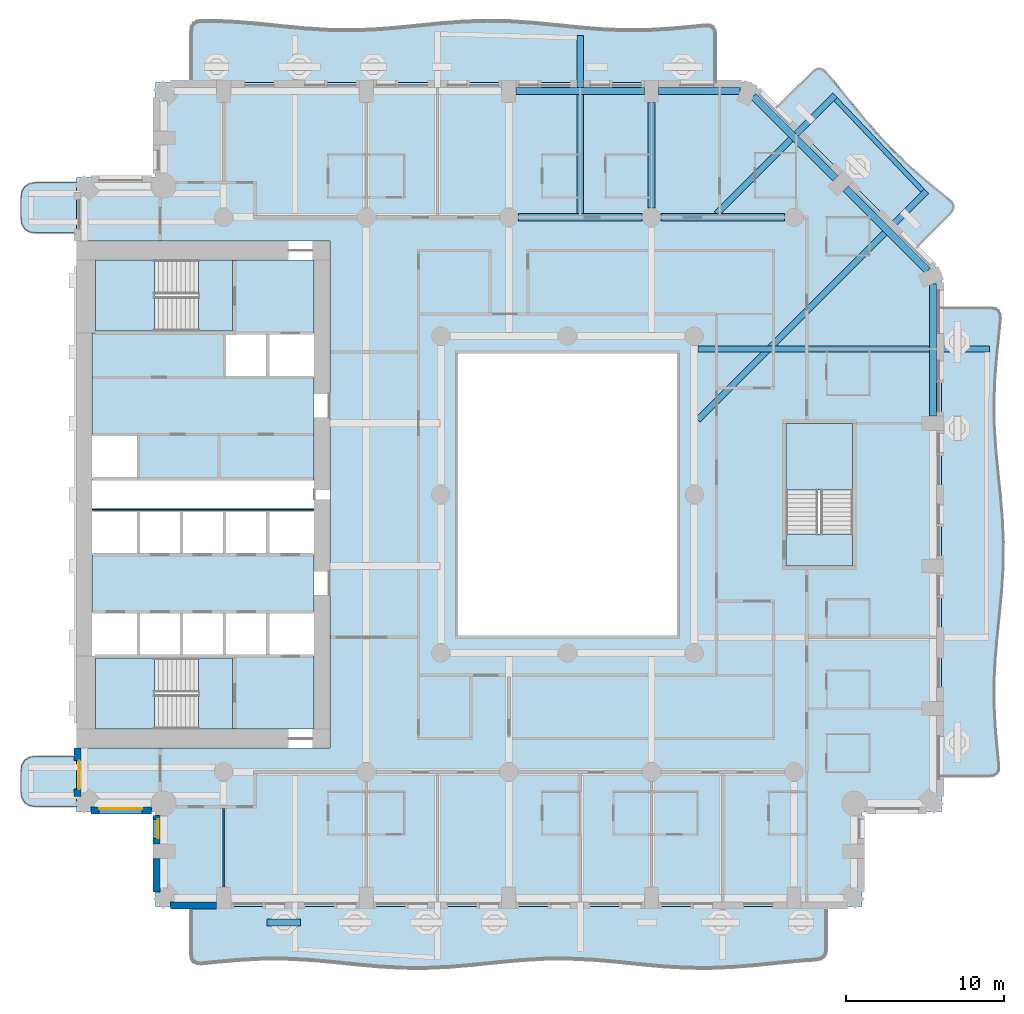
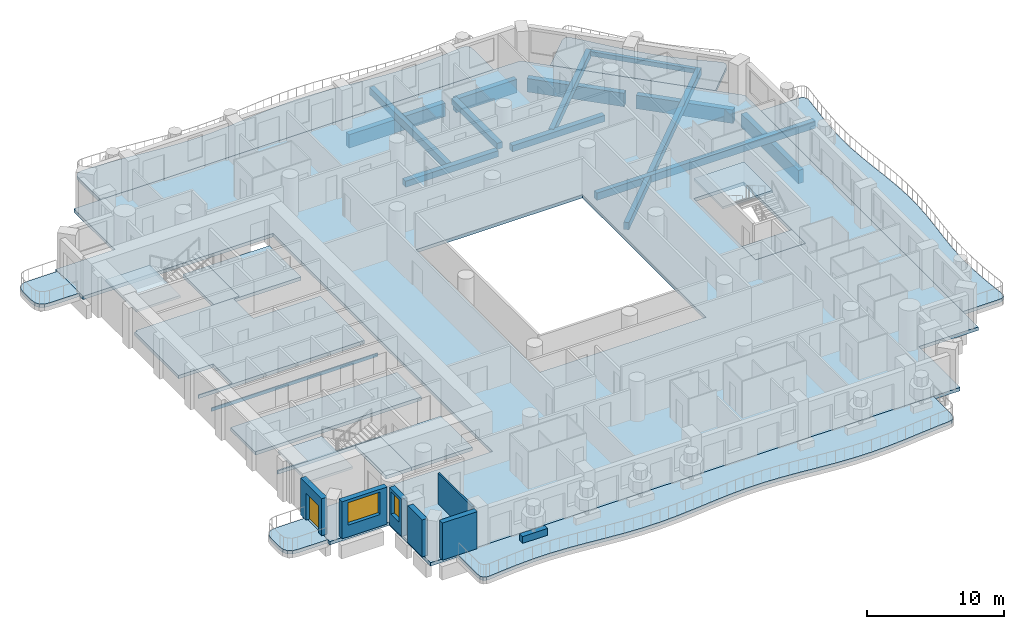
# One storey, part 2 of 20: 17 slabs, 13 beams, 7 walls, 2 windows, 1 door, 3 openings, 3 elements without a shape of their own.
"""IFC4 building model written with IfcOpenShell, lengths in metres."""

from ifc_helpers import new_model, si_unit, direction, frame, frame_2d, origin, origin_2d, place, context, subcontext, project, spatial, polyline, rectangle, outline, extrude, material, layer, layer_set, material_profile, profile_set, type_object, element, fill, aggregate, save


model = new_model("IFC4")

# Units and contexts
model_context = context("Model", 3, precision=1e-05, world=origin(), true_north=direction((0.0, 1.0)))
body_context = subcontext(model_context, "Body", "Model", "MODEL_VIEW")
ifc_project = project(units=[si_unit("LENGTHUNIT", "METRE"), si_unit("AREAUNIT", "SQUARE_METRE"), si_unit("VOLUMEUNIT", "CUBIC_METRE"), si_unit("PLANEANGLEUNIT", "RADIAN"), si_unit("MASSUNIT", "GRAM", prefix="KILO")], contexts=[model_context])

# Site, building, storey
site_placement = place(None, origin())
site = spatial("IfcSite", under=ifc_project, at=site_placement, CompositionType="ELEMENT")
building_placement = place(site_placement, origin())
building = spatial("IfcBuilding", under=site, at=building_placement, Name="Cypress Arch Tower", CompositionType="ELEMENT")
storey_placement = place(building_placement, frame((0.0, 0.0, 59.10009765625)))
storey = spatial("IfcBuildingStorey", under=building, at=storey_placement, Name="L08", CompositionType="ELEMENT", Elevation=59.10009765625)

# Beams
ifc_material_1 = material(Name="Concrete C50/60", Category="concrete")
ifc_material_profile_1 = material_profile(ifc_material_1, rectangle(XDim=0.300048828125, YDim=0.39990234375, at=origin_2d()), Name="RC 300x400")
ifc_profile_set_1 = profile_set([ifc_material_profile_1], Name="Concrete C50/60")
beam_type_1 = type_object("IfcBeamType", Name="Balcony edge beam RC 300x400 Concrete C50/60", PredefinedType="BEAM", material=ifc_profile_set_1)
beam_1_placement = place(storey_placement, frame((23.41015625, 19.1806640625, -0.5), z_axis=(-0.689573257402, 0.724215936497, 0.0), x_axis=(-0.724215936497, -0.689573257402, 0.0)))
element("IfcBeam", 1, at=beam_1_placement, inside=storey, type_object=beam_type_1, Name="Balcony edge beam L08 A07", PredefinedType="BEAM", context=body_context, shape_type="SweptSolid", body=[
    extrude(rectangle(XDim=0.300048828125, YDim=0.39990234375, at=origin_2d()), origin(), (0.0, 0.0, 1.0), 7.963623046875),
])
ifc_material_2 = material(Name="Concrete C50/60", Category="concrete")
ifc_material_profile_2 = material_profile(ifc_material_2, rectangle(XDim=0.39990234375, YDim=0.64990234375, at=origin_2d()), Name="RC 400x650")
ifc_profile_set_2 = profile_set([ifc_material_profile_2], Name="Concrete C50/60")
beam_type_2 = type_object("IfcBeamType", Name="Cantilever beam RC 400x650 Concrete C50/60", PredefinedType="BEAM", material=ifc_profile_set_2)
beam_2_placement = place(storey_placement, frame((9.22509765625, 9.18798828125, -0.625), z_axis=(1.0, 0.0, 0.0), x_axis=(0.0, 1.0, 0.0)))
element("IfcBeam", 2, at=beam_2_placement, inside=storey, type_object=beam_type_2, Name="Cantilever beam L08 A06 2", PredefinedType="BEAM", context=body_context, shape_type="SweptSolid", body=[
    extrude(rectangle(XDim=0.39990234375, YDim=0.64990234375, at=origin_2d()), origin(), (0.0, 0.0, 1.0), 18.392578125),
])
beam_3_placement = place(storey_placement, frame((9.22509765625, 4.712890625, -0.625), z_axis=(0.707100800439, 0.707112761884, 0.0), x_axis=(-0.707112761884, 0.707100800439, 0.0)))
element("IfcBeam", 3, at=beam_3_placement, inside=storey, type_object=beam_type_2, Name="Cantilever beam L08 A07 1", PredefinedType="BEAM", context=body_context, shape_type="SweptSolid", body=[
    extrude(rectangle(XDim=0.39990234375, YDim=0.64990234375, at=origin_2d()), origin(), (0.0, 0.0, 1.0), 20.41064453125),
])
beam_4_placement = place(storey_placement, frame((10.412841796875, 17.72509765625, -0.625), z_axis=(0.707118335313, 0.707095226871, 0.0), x_axis=(-0.707095226871, 0.707118335313, 0.0)))
element("IfcBeam", 4, at=beam_4_placement, inside=storey, type_object=beam_type_2, Name="Cantilever beam L08 A07 2", PredefinedType="BEAM", context=body_context, shape_type="SweptSolid", body=[
    extrude(rectangle(XDim=0.39990234375, YDim=0.64990234375, at=origin_2d()), origin(), (0.0, 0.0, 1.0), 10.56494140625),
])
beam_5_placement = place(storey_placement, frame((1.800048828125, 17.72509765625, -0.625), z_axis=(0.0, 1.0, 0.0), x_axis=(-1.0, 0.0, 0.0)))
element("IfcBeam", 5, at=beam_5_placement, inside=storey, type_object=beam_type_2, Name="Cantilever beam L08 A08 1", PredefinedType="BEAM", context=body_context, shape_type="SweptSolid", body=[
    extrude(rectangle(XDim=0.39990234375, YDim=0.64990234375, at=origin_2d()), origin(), (0.0, 0.0, 1.0), 11.25390625),
])
ifc_material_3 = material(Name="Concrete C50/60", Category="concrete")
ifc_material_profile_3 = material_profile(ifc_material_3, rectangle(XDim=0.449951171875, YDim=0.550048828125, at=origin_2d()), Name="RC 450x550")
ifc_profile_set_3 = profile_set([ifc_material_profile_3], Name="Concrete C50/60")
beam_type_3 = type_object("IfcBeamType", Name="Floor beam RC 450x550 Concrete C50/60", PredefinedType="BEAM", material=ifc_profile_set_3)
for number, where, z_axis, x_axis, name in (
    (6, (-2.10009765625, 17.5, -0.5751953125), (1.0, 0.0, 0.0), (0.0, 1.0, 0.0), "Floor beam L08 FB017"),
    (7, (6.89990234375, 17.5, -0.5751953125), (1.0, 0.0, 0.0), (0.0, 1.0, 0.0), "Floor beam L08 FB018"),
):
    element("IfcBeam", number, at=place(storey_placement, frame(where, z_axis=z_axis, x_axis=x_axis)), inside=storey, type_object=beam_type_3, Name=name, PredefinedType="BEAM", context=body_context, shape_type="SweptSolid", body=[
        extrude(rectangle(XDim=0.449951171875, YDim=0.550048828125, at=origin_2d()), origin(), (0.0, 0.0, 1.0), 7.800048828125),
    ])
beam_6_placement = place(storey_placement, frame((6.300048828125, 18.10009765625, -0.5751953125), z_axis=(0.0, 1.0, 0.0), x_axis=(-1.0, 0.0, 0.0)))
element("IfcBeam", 8, at=beam_6_placement, inside=storey, type_object=beam_type_3, Name="Floor beam L08 FB033", PredefinedType="BEAM", context=body_context, shape_type="SweptSolid", body=[
    extrude(rectangle(XDim=0.449951171875, YDim=0.550048828125, at=origin_2d()), origin(), (0.0, 0.0, 1.0), 6.64990234375),
])
ifc_material_4 = material(Name="Concrete C50/60", Category="concrete")
ifc_material_profile_4 = material_profile(ifc_material_4, rectangle(XDim=0.449951171875, YDim=1.199951171875, at=origin_2d()), Name="RC 450x1200")
ifc_profile_set_4 = profile_set([ifc_material_profile_4], Name="Concrete C50/60")
beam_type_4 = type_object("IfcBeamType", Name="Spandrel beam RC 450x1200 Concrete C50/60", PredefinedType="SPANDREL", material=ifc_profile_set_4)
beam_7_placement = place(storey_placement, frame((24.074951171875, 4.949951171875, -1.550048828125), z_axis=(0.0, 1.0, 0.0), x_axis=(-1.0, 0.0, 0.0)))
element("IfcBeam", 9, at=beam_7_placement, inside=storey, type_object=beam_type_4, Name="Spandrel beam L08 BA06-3", PredefinedType="SPANDREL", context=body_context, shape_type="SweptSolid", body=[
    extrude(rectangle(XDim=0.449951171875, YDim=1.199951171875, at=origin_2d()), origin(), (0.0, 0.0, 1.0), 8.345458984375),
])
for number, where, z_axis, x_axis, name in (
    (10, (23.73046875, 14.126953125, -1.550048828125), (-0.707106781187, 0.707106781187, 0.0), (-0.707106781187, -0.707106781187, 0.0), "Spandrel beam L08 BA07-0"),
    (11, (17.91064453125, 19.947021484375, -1.550048828125), (-0.707106781187, 0.707106781187, 0.0), (-0.707106781187, -0.707106781187, 0.0), "Spandrel beam L08 BA07-1"),
):
    element("IfcBeam", number, at=place(storey_placement, frame(where, z_axis=z_axis, x_axis=x_axis)), inside=storey, type_object=beam_type_4, Name=name, PredefinedType="SPANDREL", context=body_context, shape_type="SweptSolid", body=[
        extrude(rectangle(XDim=0.449951171875, YDim=1.199951171875, at=origin_2d()), origin(), (0.0, 0.0, 1.0), 7.330810546875),
    ])
beam_8_placement = place(storey_placement, frame((11.8955078125, 25.47509765625, -1.550048828125), z_axis=(-1.0, 0.0, 0.0), x_axis=(0.0, -1.0, 0.0)))
element("IfcBeam", 12, at=beam_8_placement, inside=storey, type_object=beam_type_4, Name="Spandrel beam L08 BA08-0", PredefinedType="SPANDREL", context=body_context, shape_type="SweptSolid", body=[
    extrude(rectangle(XDim=0.449951171875, YDim=1.199951171875, at=origin_2d()), origin(), (0.0, 0.0, 1.0), 5.1455078125),
])
beam_9_placement = place(storey_placement, frame((5.85009765625, 25.47509765625, -1.550048828125), z_axis=(-1.0, 0.0, 0.0), x_axis=(0.0, -1.0, 0.0)))
element("IfcBeam", 13, at=beam_9_placement, inside=storey, type_object=beam_type_4, Name="Spandrel beam L08 BA08-1", PredefinedType="SPANDREL", context=body_context, shape_type="SweptSolid", body=[
    extrude(rectangle(XDim=0.449951171875, YDim=1.199951171875, at=origin_2d()), origin(), (0.0, 0.0, 1.0), 8.10009765625),
])

# Slabs
ifc_material_5 = material(Name="Concrete C40/50", Category="concrete")
ifc_layer_1 = layer(ifc_material_5, 0.300048828125)
ifc_layer_set_1 = layer_set([ifc_layer_1], Name="Balcony slab BS300")
slab_type_1 = type_object("IfcSlabType", Name="Balcony slab BS300", PredefinedType="USERDEFINED", material=ifc_layer_set_1)
slab_1_placement = place(storey_placement, frame((0.0, 0.0, -0.300048828125)))
element("IfcSlab", 14, at=slab_1_placement, inside=storey, type_object=slab_type_1, Name="Balcony slab L08-A00W0", ObjectType="BALCONY SLAB", PredefinedType="USERDEFINED", context=body_context, shape_type="SweptSolid", body=[
    extrude(outline(polyline([(-30.0, 19.699951171875), (-32.5, 19.699951171875), (-32.9375, 19.637451171875), (-33.25, 19.449951171875), (-33.4375, 19.137451171875), (-33.5, 18.699951171875), (-33.5, 17.5), (-33.4375, 17.0625), (-33.25, 16.75), (-32.9375, 16.5625), (-32.5, 16.5), (-30.0, 16.5), (-30.0, 19.699951171875)])), origin(), (0.0, 0.0, 1.0), 0.300048828125),
])
slab_2_placement = place(storey_placement, frame((0.0, 0.0, -0.300048828125)))
element("IfcSlab", 15, at=slab_2_placement, inside=storey, type_object=slab_type_1, Name="Balcony slab L08-A00W1", ObjectType="BALCONY SLAB", PredefinedType="USERDEFINED", context=body_context, shape_type="SweptSolid", body=[
    extrude(outline(polyline([(-30.0, -16.5), (-32.5, -16.5), (-32.9375, -16.5625), (-33.25, -16.75), (-33.4375, -17.0625), (-33.5, -17.5), (-33.5, -18.699951171875), (-33.4375, -19.137451171875), (-33.25, -19.449951171875), (-32.9375, -19.637451171875), (-32.5, -19.699951171875), (-30.0, -19.699951171875), (-30.0, -16.5)])), origin(), (0.0, 0.0, 1.0), 0.300048828125),
])
slab_3_placement = place(storey_placement, frame((0.0, 0.0, -0.300048828125)))
element("IfcSlab", 16, at=slab_3_placement, inside=storey, type_object=slab_type_1, Name="Balcony slab L08-A03", ObjectType="BALCONY SLAB", PredefinedType="USERDEFINED", context=body_context, shape_type="SweptSolid", body=[
    extrude(outline(polyline([(-22.75, -26.0), (-22.75, -29.005859375), (-22.708251953125, -29.29541015625), (-22.5830078125, -29.492431640625), (-22.3740234375, -29.5966796875), (-22.081787109375, -29.6083984375), (-21.264892578125, -29.52392578125), (-19.779541015625, -29.39013671875), (-18.29443359375, -29.3115234375), (-16.809326171875, -29.30859375), (-15.323974609375, -29.382568359375), (-13.8388671875, -29.513427734375), (-12.353759765625, -29.6669921875), (-10.868408203125, -29.80322265625), (-9.38330078125, -29.8857421875), (-7.898193359375, -29.893310546875), (-6.412841796875, -29.82373046875), (-4.927734375, -29.695556640625), (-3.442626953125, -29.5419921875), (-1.95751953125, -29.40380859375), (-0.47216796875, -29.317138671875), (1.012939453125, -29.3046875), (2.498046875, -29.3701171875), (3.9833984375, -29.495849609375), (5.468505859375, -29.64892578125), (6.95361328125, -29.7890625), (8.43896484375, -29.879638671875), (9.924072265625, -29.896728515625), (11.4091796875, -29.835693359375), (12.89453125, -29.712890625), (14.379638671875, -29.560302734375), (15.86474609375, -29.418212890625), (16.681640625, -29.3662109375), (16.97412109375, -29.305908203125), (17.182861328125, -29.1669921875), (17.308349609375, -28.94970703125), (17.35009765625, -28.654052734375), (17.35009765625, -26.0), (-22.75, -26.0)])), origin(), (0.0, 0.0, 1.0), 0.300048828125),
])
slab_4_placement = place(storey_placement, frame((0.0, 0.0, -0.300048828125)))
element("IfcSlab", 17, at=slab_4_placement, inside=storey, type_object=slab_type_1, Name="Balcony slab L08-A06", ObjectType="BALCONY SLAB", PredefinedType="USERDEFINED", context=body_context, shape_type="SweptSolid", body=[
    extrude(outline(polyline([(24.60009765625, -17.75), (27.6103515625, -17.75), (27.89794921875, -17.70849609375), (28.09375, -17.583984375), (28.197265625, -17.376708984375), (28.208984375, -17.086181640625), (28.125, -16.27490234375), (27.99169921875, -14.800048828125), (27.912353515625, -13.324951171875), (27.90771484375, -11.85009765625), (27.978759765625, -10.375), (28.107177734375, -8.89990234375), (28.259765625, -7.425048828125), (28.396728515625, -5.949951171875), (28.48291015625, -4.47509765625), (28.495361328125, -3.0), (28.431396484375, -1.52490234375), (28.3076171875, -0.050048828125), (28.15576171875, 1.425048828125), (28.015380859375, 2.89990234375), (27.9228515625, 4.375), (27.90234375, 5.85009765625), (27.958740234375, 7.324951171875), (28.077880859375, 8.800048828125), (28.228759765625, 10.27490234375), (28.3076171875, 11.086181640625), (28.294189453125, 11.376708984375), (28.189208984375, 11.583984375), (27.992919921875, 11.70849609375), (27.705078125, 11.75), (24.60009765625, 11.75), (24.60009765625, -17.75)])), origin(), (0.0, 0.0, 1.0), 0.300048828125),
])
slab_5_placement = place(storey_placement, frame((0.0, 0.0, -0.300048828125)))
element("IfcSlab", 18, at=slab_5_placement, inside=storey, type_object=slab_type_1, Name="Balcony slab L08-A07", ObjectType="BALCONY SLAB", PredefinedType="USERDEFINED", context=body_context, shape_type="SweptSolid", body=[
    extrude(outline(polyline([(23.009033203125, 15.591064453125), (25.166259765625, 17.748291015625), (25.329833984375, 17.966796875), (25.376953125, 18.179443359375), (25.30810546875, 18.385986328125), (25.122802734375, 18.586669921875), (24.528076171875, 19.069580078125), (23.45751953125, 19.95849609375), (22.41845703125, 20.879150390625), (21.424560546875, 21.8447265625), (20.47900390625, 22.858642578125), (19.573974609375, 23.913330078125), (18.6923828125, 24.9912109375), (17.811767578125, 26.070068359375), (17.315185546875, 26.6513671875), (17.10986328125, 26.83203125), (16.900146484375, 26.897705078125), (16.685791015625, 26.8486328125), (16.466796875, 26.684814453125), (14.19091796875, 24.408935546875), (23.009033203125, 15.591064453125)])), origin(), (0.0, 0.0, 1.0), 0.300048828125),
])
slab_6_placement = place(storey_placement, frame((0.0, 0.0, -0.300048828125)))
element("IfcSlab", 19, at=slab_6_placement, inside=storey, type_object=slab_type_1, Name="Balcony slab L08-A08", ObjectType="BALCONY SLAB", PredefinedType="USERDEFINED", context=body_context, shape_type="SweptSolid", body=[
    extrude(outline(polyline([(10.35009765625, 26.0), (10.35009765625, 29.026611328125), (10.3095703125, 29.30712890625), (10.18798828125, 29.498046875), (9.98583984375, 29.59912109375), (9.702392578125, 29.610595703125), (8.910888671875, 29.528564453125), (7.4716796875, 29.39697265625), (6.03271484375, 29.315673828125), (4.593505859375, 29.3046875), (3.154296875, 29.366455078125), (1.71533203125, 29.486083984375), (0.276123046875, 29.6337890625), (-1.1630859375, 29.773193359375), (-2.602294921875, 29.86962890625), (-4.041259765625, 29.899658203125), (-5.48046875, 29.85546875), (-6.919677734375, 29.748291015625), (-8.358642578125, 29.604248046875), (-9.7978515625, 29.45947265625), (-11.237060546875, 29.34912109375), (-12.676025390625, 29.301025390625), (-14.115234375, 29.32666015625), (-15.554443359375, 29.419921875), (-16.993408203125, 29.5576171875), (-18.4326171875, 29.705810546875), (-19.871826171875, 29.827880859375), (-21.310791015625, 29.893798828125), (-22.102294921875, 29.889892578125), (-22.3857421875, 29.84814453125), (-22.588134765625, 29.725830078125), (-22.70947265625, 29.522705078125), (-22.75, 29.2392578125), (-22.75, 26.0), (10.35009765625, 26.0)])), origin(), (0.0, 0.0, 1.0), 0.300048828125),
])
ifc_material_6 = material(Name="Concrete C40/50", Category="concrete")
ifc_layer_2 = layer(ifc_material_6, 0.300048828125)
ifc_layer_set_2 = layer_set([ifc_layer_2], Name="Core floor CF300")
slab_type_2 = type_object("IfcSlabType", Name="Core floor CF300", PredefinedType="FLOOR", material=ifc_layer_set_2)
slab_7_placement = place(storey_placement, frame((0.0, 0.0, -0.300048828125)))
element("IfcSlab", 20, at=slab_7_placement, inside=storey, type_object=slab_type_2, Name="Core floor", PredefinedType="FLOOR", context=body_context, shape_type="SweptSolid", body=[
    extrude(outline(polyline([(-20.125, -14.800048828125), (-15.0, -14.800048828125), (-15.0, -10.199951171875), (-17.919921875, -10.199951171875), (-20.639892578125, -10.199951171875), (-23.360107421875, -10.199951171875), (-26.080078125, -10.199951171875), (-28.800048828125, -10.199951171875), (-28.800048828125, -10.324951171875), (-22.27490234375, -10.324951171875), (-20.125, -10.324951171875), (-20.125, -14.800048828125)])), origin(), (0.0, 0.0, 1.0), 0.300048828125),
])
slab_8_placement = place(storey_placement, frame((0.0, 0.0, -0.300048828125)))
element("IfcSlab", 21, at=slab_8_placement, inside=storey, type_object=slab_type_2, Name="Core floor", PredefinedType="FLOOR", context=body_context, shape_type="SweptSolid", body=[
    extrude(outline(polyline([(-29.0, -3.800048828125), (-29.0, -7.39990234375), (-26.080078125, -7.39990234375), (-23.360107421875, -7.39990234375), (-20.639892578125, -7.39990234375), (-17.919921875, -7.39990234375), (-15.0, -7.39990234375), (-15.0, -3.800048828125), (-17.919921875, -3.800048828125), (-20.639892578125, -3.800048828125), (-23.360107421875, -3.800048828125), (-26.080078125, -3.800048828125), (-29.0, -3.800048828125)])), origin(), (0.0, 0.0, 1.0), 0.300048828125),
])
slab_9_placement = place(storey_placement, frame((0.0, 0.0, -0.300048828125)))
element("IfcSlab", 22, at=slab_9_placement, inside=storey, type_object=slab_type_2, Name="Core floor", PredefinedType="FLOOR", context=body_context, shape_type="SweptSolid", body=[
    extrude(outline(polyline([(-29.0, 3.800048828125), (-29.0, 10.199951171875), (-28.800048828125, 10.199951171875), (-28.800048828125, 10.324951171875), (-28.60009765625, 10.324951171875), (-22.27490234375, 10.324951171875), (-20.125, 10.324951171875), (-20.125, 14.800048828125), (-15.39990234375, 14.800048828125), (-15.0, 14.800048828125), (-15.0, 10.199951171875), (-15.39990234375, 10.199951171875), (-17.919921875, 10.199951171875), (-20.639892578125, 10.199951171875), (-20.639892578125, 7.39990234375), (-17.919921875, 7.39990234375), (-15.39990234375, 7.39990234375), (-15.0, 7.39990234375), (-15.0, 0.89990234375), (-28.60009765625, 0.89990234375), (-29.0, 0.89990234375), (-29.0, 1.0), (-28.60009765625, 1.0), (-26.080078125, 1.0), (-26.080078125, 3.800048828125), (-28.60009765625, 3.800048828125), (-29.0, 3.800048828125)])), origin(), (0.0, 0.0, 1.0), 0.300048828125),
])
slab_10_placement = place(storey_placement, frame((0.0, 0.0, -0.300048828125)))
element("IfcSlab", 23, at=slab_10_placement, inside=storey, type_object=slab_type_2, Name="Core floor", PredefinedType="FLOOR", context=body_context, shape_type="SweptSolid", body=[
    extrude(outline(polyline([(-22.27490234375, -10.324951171875), (-22.27490234375, -14.800048828125), (-20.125, -14.800048828125), (-20.125, -10.324951171875), (-22.27490234375, -10.324951171875)])), origin(), (0.0, 0.0, 1.0), 0.300048828125),
])
slab_11_placement = place(storey_placement, frame((0.0, 0.0, -0.300048828125)))
element("IfcSlab", 24, at=slab_11_placement, inside=storey, type_object=slab_type_2, Name="Core floor", PredefinedType="FLOOR", context=body_context, shape_type="SweptSolid", body=[
    extrude(outline(polyline([(-20.125, 14.800048828125), (-22.27490234375, 14.800048828125), (-22.27490234375, 10.324951171875), (-20.125, 10.324951171875), (-20.125, 14.800048828125)])), origin(), (0.0, 0.0, 1.0), 0.300048828125),
])
slab_12_placement = place(storey_placement, frame((0.0, 0.0, -0.300048828125)))
element("IfcSlab", 25, at=slab_12_placement, inside=storey, type_object=slab_type_2, Name="Stair floor landing", PredefinedType="FLOOR", context=body_context, shape_type="SweptSolid", body=[
    extrude(outline(polyline([(19.0, -4.5), (19.0, -2.5), (14.800048828125, -2.5), (14.800048828125, -4.5), (19.0, -4.5)])), origin(), (0.0, 0.0, 1.0), 0.300048828125),
])
slab_13_placement = place(storey_placement, frame((0.0, 0.0, -0.300048828125)))
element("IfcSlab", 26, at=slab_13_placement, inside=storey, type_object=slab_type_2, Name="Core floor", PredefinedType="FLOOR", context=body_context, shape_type="SweptSolid", body=[
    extrude(outline(polyline([(-20.639892578125, -1.0), (-23.360107421875, -1.0), (-26.080078125, -1.0), (-28.60009765625, -1.0), (-29.0, -1.0), (-29.0, -0.89990234375), (-28.60009765625, -0.89990234375), (-15.39990234375, -0.89990234375), (-15.0, -0.89990234375), (-15.0, -1.0), (-15.39990234375, -1.0), (-17.919921875, -1.0), (-20.639892578125, -1.0)])), origin(), (0.0, 0.0, 1.0), 0.300048828125),
])
ifc_material_7 = material(Name="Concrete C40/50", Category="concrete")
ifc_layer_3 = layer(ifc_material_7, 0.300048828125)
ifc_layer_set_3 = layer_set([ifc_layer_3], Name="PT flat slab 300 Concrete C40/50")
slab_type_3 = type_object("IfcSlabType", Name="PT flat slab 300 Concrete C40/50", PredefinedType="FLOOR", material=ifc_layer_set_3)
slab_14_placement = place(storey_placement, frame((0.0, 0.0, -0.300048828125)))
element("IfcSlab", 27, at=slab_14_placement, inside=storey, type_object=slab_type_3, Name="Floor slab L08", PredefinedType="FLOOR", context=body_context, shape_type="SweptSolid", body=[
    extrude(outline(polyline([(-30.0, 20.0), (-25.0, 20.0), (-25.0, 26.0), (12.60009765625, 26.0), (24.60009765625, 14.0), (24.60009765625, -20.0), (19.60009765625, -20.0), (19.60009765625, -26.0), (-25.0, -26.0), (-25.0, -20.0), (-30.0, -20.0), (-30.0, -16.0), (-14.0, -16.0), (-14.0, 16.0), (-30.0, 16.0), (-30.0, 20.0)]), holes=[polyline([(-6.0, -9.0), (8.0, -9.0), (8.0, 9.0), (-6.0, 9.0), (-6.0, -9.0)]), polyline([(14.800048828125, -4.5), (19.0, -4.5), (19.0, 4.5), (14.800048828125, 4.5), (14.800048828125, -4.5)])]), origin(), (0.0, 0.0, 1.0), 0.300048828125),
])

# Stair, slab
ifc_material_8 = material(Name="Concrete C40/50", Category="concrete")
stair_type_1 = type_object("IfcStairType", Name="Exit stair ES1636-215", PredefinedType="HALF_TURN_STAIR", material=ifc_material_8)
stair_1_placement = place(storey_placement, origin())
stair_1 = element("IfcStair", 28, at=stair_1_placement, inside=storey, type_object=stair_type_1, Name="L08 Exit stair A", PredefinedType="HALF_TURN_STAIR")
ifc_material_9 = material(Name="Concrete C40/50", Category="concrete")
ifc_layer_4 = layer(ifc_material_9, 0.199951171875)
ifc_layer_set_4 = layer_set([ifc_layer_4], Name="Stair landing SL200")
slab_type_4 = type_object("IfcSlabType", Name="Stair landing SL200", PredefinedType="LANDING", material=ifc_layer_set_4)
slab_15_placement = place(storey_placement, frame((0.0, 0.0, 1.599853515625)))
slab_15 = element("IfcSlab", 29, at=slab_15_placement, type_object=slab_type_4, Name="A landing 1", PredefinedType="LANDING", context=body_context, shape_type="SweptSolid", body=[
    extrude(outline(polyline([(-25.074951171875, -10.324951171875), (-28.800048828125, -10.324951171875), (-28.800048828125, -14.800048828125), (-25.074951171875, -14.800048828125), (-25.074951171875, -10.324951171875)])), origin(), (0.0, 0.0, 1.0), 0.199951171875),
])
aggregate(stair_1, [slab_15])

stair_2_placement = place(storey_placement, origin())
stair_2 = element("IfcStair", 30, at=stair_2_placement, inside=storey, type_object=stair_type_1, Name="L08 Exit stair B", PredefinedType="HALF_TURN_STAIR")
slab_16_placement = place(storey_placement, frame((0.0, 0.0, 1.599853515625)))
slab_16 = element("IfcSlab", 31, at=slab_16_placement, type_object=slab_type_4, Name="B landing 1", PredefinedType="LANDING", context=body_context, shape_type="SweptSolid", body=[
    extrude(outline(polyline([(-25.074951171875, 14.800048828125), (-28.800048828125, 14.800048828125), (-28.800048828125, 10.324951171875), (-25.074951171875, 10.324951171875), (-25.074951171875, 14.800048828125)])), origin(), (0.0, 0.0, 1.0), 0.199951171875),
])
aggregate(stair_2, [slab_16])

ifc_material_10 = material(Name="Concrete C40/50", Category="concrete")
stair_type_2 = type_object("IfcStairType", Name="Exit stair ES1636-200", PredefinedType="HALF_TURN_STAIR", material=ifc_material_10)
stair_3_placement = place(storey_placement, origin())
stair_3 = element("IfcStair", 32, at=stair_3_placement, inside=storey, type_object=stair_type_2, Name="L08 Exit stair C", PredefinedType="HALF_TURN_STAIR")
slab_17_placement = place(storey_placement, frame((0.0, 0.0, 1.599853515625)))
slab_17 = element("IfcSlab", 33, at=slab_17_placement, type_object=slab_type_4, Name="C landing 1", PredefinedType="LANDING", context=body_context, shape_type="SweptSolid", body=[
    extrude(outline(polyline([(19.0, 0.300048828125), (19.0, 4.5), (14.800048828125, 4.5), (14.800048828125, 0.300048828125), (19.0, 0.300048828125)])), origin(), (0.0, 0.0, 1.0), 0.199951171875),
])
aggregate(stair_3, [slab_17])

# Wall
ifc_material_11 = material(Name="Concrete C40/50, waterproofed", Category="concrete")
ifc_layer_5 = layer(ifc_material_11, 0.449951171875)
ifc_layer_set_5 = layer_set([ifc_layer_5], Name="Balcony planter wall PW450")
wall_type_1 = type_object("IfcWallType", Name="Balcony planter wall PW450", PredefinedType="SOLIDWALL", material=ifc_layer_set_5)
wall_1_placement = place(storey_placement, frame((-17.949951171875, -27.0, 0.0), z_axis=(0.0, 0.0, 1.0), x_axis=(1.0, 0.0, 0.0)))
element("IfcWall", 34, at=wall_1_placement, inside=storey, type_object=wall_type_1, Name="Balcony planter wall L08-A03.1", PredefinedType="SOLIDWALL", context=body_context, shape_type="SweptSolid", body=[
    extrude(rectangle(XDim=2.099853515625, YDim=0.449951171875, at=frame_2d((1.0498046875, 0.0))), origin(), (0.0, 0.0, 1.0), 0.599853515625),
])

# Wall, opening, door
ifc_material_12 = material(Name="Brick (red buff blend)", Category="masonry")
ifc_layer_6 = layer(ifc_material_12, 0.449951171875)
ifc_layer_set_6 = layer_set([ifc_layer_6], Name="Brick pier and spandrel wall BW450")
wall_type_2 = type_object("IfcWallType", Name="Brick pier and spandrel wall BW450", PredefinedType="SOLIDWALL", material=ifc_layer_set_6)
wall_2_placement = place(storey_placement, frame((-29.925048828125, -16.0, 0.0), z_axis=(0.0, 0.0, 1.0), x_axis=(0.0, -1.0, 0.0)))
wall_2 = element("IfcWall", 35, at=wall_2_placement, inside=storey, type_object=wall_type_2, Name="Brick wall L08 A00.0.1", PredefinedType="SOLIDWALL", context=body_context, shape_type="SweptSolid", body=[
    extrude(rectangle(XDim=3.063720703125, YDim=0.449951171875, at=frame_2d((1.53173828125, 0.0))), origin(), (0.0, 0.0, 1.0), 3.2998046875),
])
opening_1_placement = place(wall_2_placement, frame((0.78173828125, 0.0, 0.0)))
opening_1 = element("IfcOpeningElement", 36, at=opening_1_placement, cuts=wall_2, Name="Opening D-L08-A00.0.1.9", PredefinedType="OPENING", context=body_context, shape_type="SweptSolid", body=[
    extrude(rectangle(XDim=1.800048828125, YDim=2.39990234375, at=frame_2d((0.89990234375, 1.199951171875))), frame((0.0, 0.23486328125, 0.0), z_axis=(0.0, -1.0, 0.0), x_axis=(1.0, 0.0, 0.0)), (0.0, 0.0, 1.0), 0.469970703125),
])
ifc_material_13 = material(Name="Anodised aluminium, bronze finish, laminated low-emissivity double glazing, large-missile impact rated", Category="aluminium")
door_type = type_object("IfcDoorType", Name="Balcony sliding door 1800x2400", OperationType="SLIDING_TO_LEFT", PredefinedType="DOOR", material=ifc_material_13)
door_placement = place(opening_1_placement, origin())
door = element("IfcDoor", 37, at=door_placement, inside=storey, type_object=door_type, Name="Balcony door L08 A00.0.1.9", OperationType="SLIDING_TO_LEFT", OverallHeight=2.39990234375, OverallWidth=1.800048828125, PredefinedType="DOOR", context=body_context, shape_type="SweptSolid", body=[
    extrude(rectangle(XDim=1.800048828125, YDim=2.39990234375, at=frame_2d((0.89990234375, 1.199951171875))), frame((0.0, 0.1298828125, 0.0), z_axis=(0.0, -1.0, 0.0), x_axis=(1.0, 0.0, 0.0)), (0.0, 0.0, 1.0), 0.050048828125),
])
fill(opening_1, door)

# Wall, opening, window
wall_3_placement = place(storey_placement, frame((-29.063720703125, -19.925048828125, 0.0), z_axis=(0.0, 0.0, 1.0), x_axis=(1.0, 0.0, 0.0)))
wall_3 = element("IfcWall", 38, at=wall_3_placement, inside=storey, type_object=wall_type_2, Name="Brick wall L08 A01.0", PredefinedType="SOLIDWALL", context=body_context, shape_type="SweptSolid", body=[
    extrude(rectangle(XDim=3.80517578125, YDim=0.449951171875, at=frame_2d((1.902587890625, 0.0))), origin(), (0.0, 0.0, 1.0), 3.2998046875),
])
opening_2_placement = place(wall_3_placement, frame((0.513671875, 0.0, 1.050048828125)))
opening_2 = element("IfcOpeningElement", 39, at=opening_2_placement, cuts=wall_3, Name="Opening W270H", PredefinedType="OPENING", context=body_context, shape_type="SweptSolid", body=[
    extrude(rectangle(XDim=2.699951171875, YDim=2.0, at=frame_2d((1.35009765625, 1.0))), frame((0.0, 0.23486328125, 0.0), z_axis=(0.0, -1.0, 0.0), x_axis=(1.0, 0.0, 0.0)), (0.0, 0.0, 1.0), 0.469970703125),
])
ifc_material_14 = material(Name="Anodised aluminium, bronze finish, clear low-emissivity double glazing", Category="aluminium")
window_type_1 = type_object("IfcWindowType", Name="Window Hotel 2700x2000", PartitioningType="SINGLE_PANEL", PredefinedType="WINDOW", material=ifc_material_14)
window_1_placement = place(opening_2_placement, origin())
window_1 = element("IfcWindow", 40, at=window_1_placement, inside=storey, type_object=window_type_1, Name="Window L08 A01.0.1", OverallHeight=2.0, OverallWidth=2.699951171875, PartitioningType="SINGLE_PANEL", PredefinedType="WINDOW", context=body_context, shape_type="SweptSolid", body=[
    extrude(rectangle(XDim=2.699951171875, YDim=2.0, at=frame_2d((1.35009765625, 1.0))), frame((0.0, 0.135009765625, 0.0), z_axis=(0.0, -1.0, 0.0), x_axis=(1.0, 0.0, 0.0)), (0.0, 0.0, 1.0), 0.06005859375),
])
fill(opening_2, window_1)

wall_4_placement = place(storey_placement, frame((-24.925048828125, -20.258544921875, 0.0), z_axis=(0.0, 0.0, 1.0), x_axis=(0.0, -1.0, 0.0)))
wall_4 = element("IfcWall", 41, at=wall_4_placement, inside=storey, type_object=wall_type_2, Name="Brick wall L08 A02.0", PredefinedType="SOLIDWALL", context=body_context, shape_type="SweptSolid", body=[
    extrude(rectangle(XDim=1.79150390625, YDim=0.449951171875, at=frame_2d((0.895751953125, 0.0))), origin(), (0.0, 0.0, 1.0), 3.2998046875),
])
opening_3_placement = place(wall_4_placement, frame((0.241455078125, 0.0, 1.050048828125)))
opening_3 = element("IfcOpeningElement", 42, at=opening_3_placement, cuts=wall_4, Name="Opening W120H", PredefinedType="OPENING", context=body_context, shape_type="SweptSolid", body=[
    extrude(rectangle(XDim=1.199951171875, YDim=2.0, at=frame_2d((0.60009765625, 1.0))), frame((0.0, 0.23486328125, 0.0), z_axis=(0.0, -1.0, 0.0), x_axis=(1.0, 0.0, 0.0)), (0.0, 0.0, 1.0), 0.469970703125),
])
ifc_material_15 = material(Name="Anodised aluminium, bronze finish, clear low-emissivity double glazing", Category="aluminium")
window_type_2 = type_object("IfcWindowType", Name="Window Hotel 1200x2000", PartitioningType="SINGLE_PANEL", PredefinedType="WINDOW", material=ifc_material_15)
window_2_placement = place(opening_3_placement, origin())
window_2 = element("IfcWindow", 43, at=window_2_placement, inside=storey, type_object=window_type_2, Name="Window L08 A02.0.1", OverallHeight=2.0, OverallWidth=1.199951171875, PartitioningType="SINGLE_PANEL", PredefinedType="WINDOW", context=body_context, shape_type="SweptSolid", body=[
    extrude(rectangle(XDim=1.199951171875, YDim=2.0, at=frame_2d((0.60009765625, 1.0))), frame((0.0, 0.135009765625, 0.0), z_axis=(0.0, -1.0, 0.0), x_axis=(1.0, 0.0, 0.0)), (0.0, 0.0, 1.0), 0.06005859375),
])
fill(opening_3, window_2)

# Walls
wall_5_placement = place(storey_placement, frame((-24.925048828125, -22.949951171875, 0.0), z_axis=(0.0, 0.0, 1.0), x_axis=(0.0, -1.0, 0.0)))
element("IfcWall", 44, at=wall_5_placement, inside=storey, type_object=wall_type_2, Name="Brick wall L08 A02.1", PredefinedType="SOLIDWALL", context=body_context, shape_type="SweptSolid", body=[
    extrude(rectangle(XDim=2.11376953125, YDim=0.449951171875, at=frame_2d((1.056884765625, 0.0))), origin(), (0.0, 0.0, 1.0), 3.2998046875),
])
wall_6_placement = place(storey_placement, frame((-24.063720703125, -25.925048828125, 0.0), z_axis=(0.0, 0.0, 1.0), x_axis=(1.0, 0.0, 0.0)))
element("IfcWall", 45, at=wall_6_placement, inside=storey, type_object=wall_type_2, Name="Brick wall L08 A03.0", PredefinedType="SOLIDWALL", context=body_context, shape_type="SweptSolid", body=[
    extrude(rectangle(XDim=2.913818359375, YDim=0.449951171875, at=frame_2d((1.45703125, 0.0))), origin(), (0.0, 0.0, 1.0), 3.2998046875),
])
ifc_material_16 = material(Name="Blockwork, plastered both sides", Category="masonry")
ifc_layer_7 = layer(ifc_material_16, 0.14990234375)
ifc_layer_set_7 = layer_set([ifc_layer_7], Name="Partition PW150")
wall_type_3 = type_object("IfcWallType", Name="Partition PW150", PredefinedType="PARTITIONING", material=ifc_layer_set_7)
wall_7_placement = place(storey_placement, frame((-20.699951171875, -24.75, 0.0), z_axis=(0.0, 0.0, 1.0), x_axis=(0.0, 1.0, 0.0)))
element("IfcWall", 46, at=wall_7_placement, inside=storey, type_object=wall_type_3, Name="Partition", PredefinedType="PARTITIONING", context=body_context, shape_type="SweptSolid", body=[
    extrude(rectangle(XDim=4.949951171875, YDim=0.14990234375, at=frame_2d((2.47509765625, 0.0))), origin(), (0.0, 0.0, 1.0), 2.75),
])

save(model, "model.ifc")
